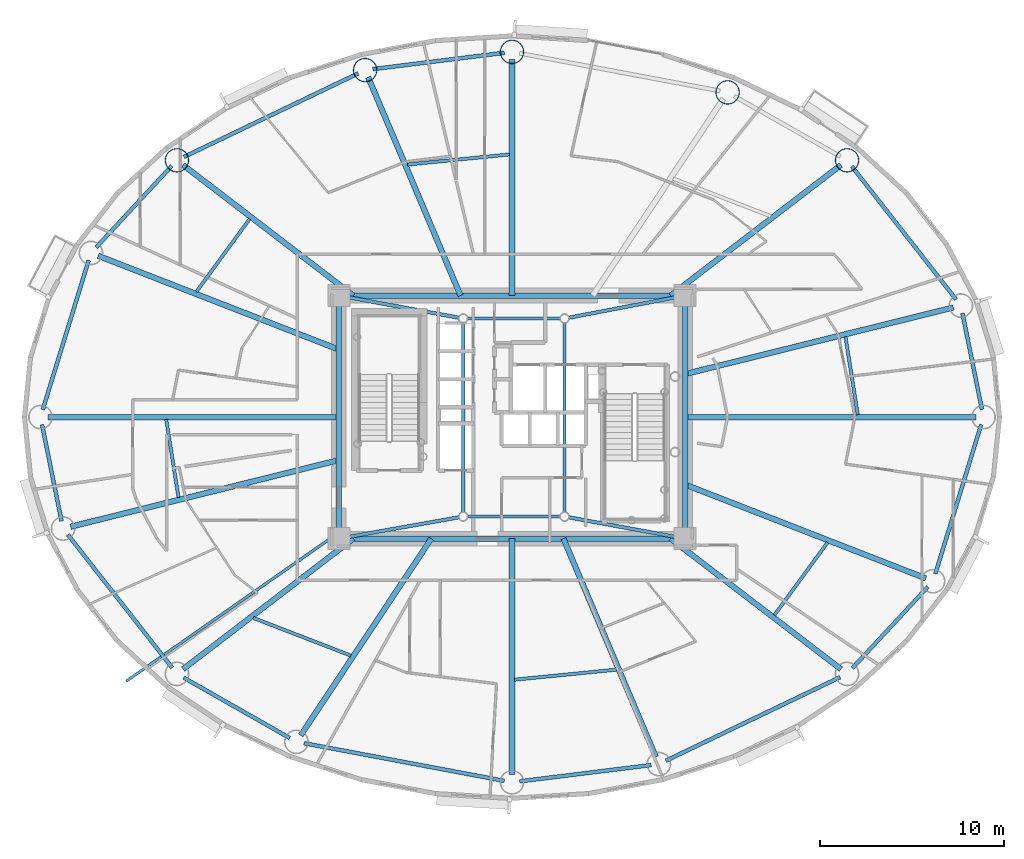
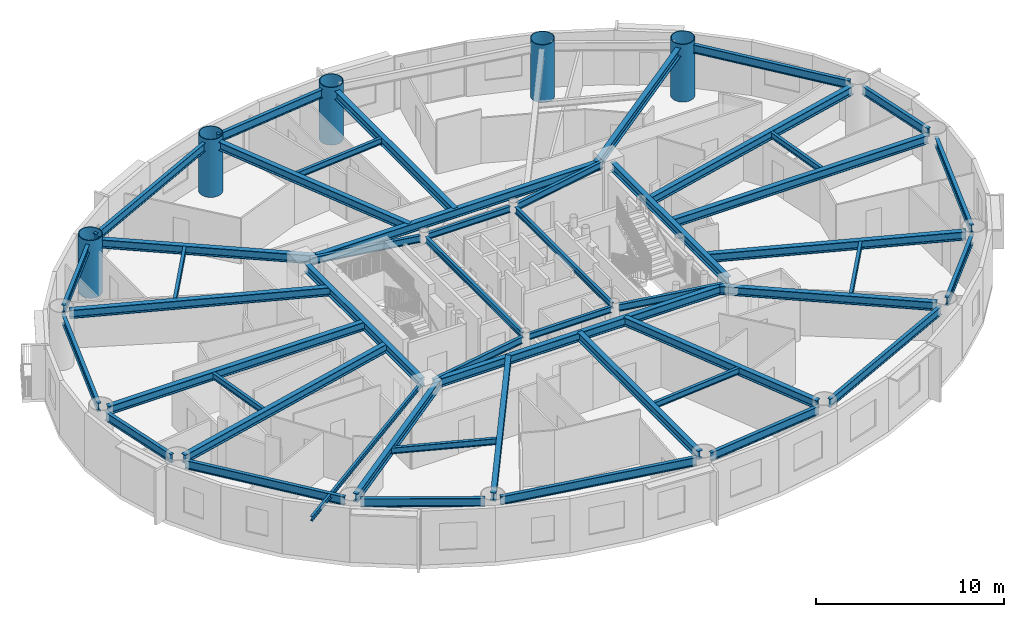
# One storey, part 3 of 20: 49 beams, 5 columns.
"""IFC4 building model written with IfcOpenShell, lengths in metres."""

import ifcopenshell
import ifcopenshell.guid

model = None  # the IFC model being written
_history = None  # IfcOwnerHistory: only IFC2X3 demands one
_inside = {}  # id of a spatial element -> (the spatial element, [elements in it])
_under = {}  # id of a project, library or spatial element -> (it, [spatial elements below it])
_declared = {}  # id of a project -> (the project, [libraries it declares])
_typed = {}  # id of a type object -> (the type object, [elements of that type])
_made_of = {}  # id of a material, layer set ... -> (it, [elements and type objects made of it])


def new_model(schema):
    """Start an empty IFC model of exactly this schema.

    Asked for "IFC4X3", IfcOpenShell would pick the latest addendum, in which some entities
    have other attributes; the version numbers below select the first issue.
    IFC2X3 requires an IfcOwnerHistory on every rooted entity: one is made here for all.
    """
    global model, _history
    if schema == "IFC4X3":
        model = ifcopenshell.file(schema_version=(4, 3, 0, 0))
    else:
        model = ifcopenshell.file(schema=schema)
    _inside.clear()
    _under.clear()
    _declared.clear()
    _typed.clear()
    _made_of.clear()
    _history = None
    if model.schema == "IFC2X3":
        org = make("IfcOrganization", Name="unknown")
        user = make(
            "IfcPersonAndOrganization",
            ThePerson=make("IfcPerson", FamilyName="unknown"),
            TheOrganization=org,
        )
        app = make(
            "IfcApplication",
            ApplicationDeveloper=org,
            Version="unknown",
            ApplicationFullName="unknown",
            ApplicationIdentifier="unknown",
        )
        _history = make(
            "IfcOwnerHistory",
            OwningUser=user,
            OwningApplication=app,
            ChangeAction="ADDED",
            CreationDate=0,
        )
    return model


def make(cls, **values):
    """One entity of the class cls with the attributes given. An attribute that is None is left unset."""
    return model.create_entity(
        cls, **{name: value for name, value in values.items() if value is not None}
    )


def rooted(cls, **values):
    """An entity with a GlobalId (a new one), such as an element, a storey or a relation."""
    return make(cls, GlobalId=ifcopenshell.guid.new(), OwnerHistory=_history, **values)


def si_unit(unit_type, name, prefix=None):
    """IfcSIUnit, for example si_unit("LENGTHUNIT", "METRE", prefix="MILLI")."""
    return make("IfcSIUnit", UnitType=unit_type, Prefix=prefix, Name=name)


def assignment(units):
    """IfcUnitAssignment: the units of a project."""
    return None if units is None else make("IfcUnitAssignment", Units=units)


def point(xyz):
    """IfcCartesianPoint."""
    return None if xyz is None else make("IfcCartesianPoint", Coordinates=xyz)


def direction(xyz):
    """IfcDirection."""
    return None if xyz is None else make("IfcDirection", DirectionRatios=xyz)


def frame(location, z_axis=None, x_axis=None):
    """IfcAxis2Placement3D, a coordinate frame: its origin and axes. An axis left out is left unset."""
    return make(
        "IfcAxis2Placement3D",
        Location=point(location),
        Axis=direction(z_axis),
        RefDirection=direction(x_axis),
    )


def frame_2d(location, x_axis=None):
    """IfcAxis2Placement2D, a coordinate frame in the plane: its origin and x axis."""
    return make(
        "IfcAxis2Placement2D", Location=point(location), RefDirection=direction(x_axis)
    )


def origin():
    """The frame at (0, 0, 0) with its axes left unset."""
    return frame((0.0, 0.0, 0.0))


def origin_2d():
    """The frame at (0, 0) in the plane with its x axis left unset."""
    return frame_2d((0.0, 0.0))


def place(relative_to, where):
    """IfcLocalPlacement: puts the frame where relative to a parent placement (None: the world)."""
    return make(
        "IfcLocalPlacement", PlacementRelTo=relative_to, RelativePlacement=where
    )


def context(
    kind, dimensions, precision=None, world=None, true_north=None, identifier=None
):
    """IfcGeometricRepresentationContext, for example the 3D "Model" context."""
    return make(
        "IfcGeometricRepresentationContext",
        ContextIdentifier=identifier,
        ContextType=kind,
        CoordinateSpaceDimension=dimensions,
        Precision=precision,
        WorldCoordinateSystem=world,
        TrueNorth=true_north,
    )


def subcontext(parent, identifier, kind, view, scale=None):
    """IfcGeometricRepresentationSubContext, for example "Body" below "Model"."""
    return make(
        "IfcGeometricRepresentationSubContext",
        ContextIdentifier=identifier,
        ContextType=kind,
        ParentContext=parent,
        TargetScale=scale,
        TargetView=view,
    )


def project(units=None, contexts=None):
    """IfcProject with its units and contexts."""
    return rooted(
        "IfcProject",
        Name="project",
        RepresentationContexts=contexts,
        UnitsInContext=assignment(units),
    )


def spatial(cls, under=None, at=None, **own):
    """A site, building, storey or space (cls), placed at a placement, below another one or the project."""
    s = rooted(cls, ObjectPlacement=at, **own)
    if under is not None:
        _under.setdefault(under.id(), (under, []))[1].append(s)
    return s


def profile(cls, at=None, kind="AREA", **sizes):
    """A parametric profile (cls). Its sizes go by their IFC names, for example OverallWidth=200.0."""
    return make(cls, ProfileType=kind, Position=at, **sizes)


def hollow_circle(**sizes):
    """IfcCircleHollowProfileDef."""
    return profile("IfcCircleHollowProfileDef", **sizes)


def i_section(**sizes):
    """IfcIShapeProfileDef."""
    return profile("IfcIShapeProfileDef", **sizes)


def extrude(swept, where, along, depth):
    """IfcExtrudedAreaSolid: the profile swept, set in the frame where, extruded along a direction by depth."""
    return make(
        "IfcExtrudedAreaSolid",
        SweptArea=swept,
        Position=where,
        ExtrudedDirection=direction(along),
        Depth=depth,
    )


def shape(context_of_items, identifier, shape_type, items):
    """IfcShapeRepresentation: the items that make up one representation, for example the "Body"."""
    return make(
        "IfcShapeRepresentation",
        ContextOfItems=context_of_items,
        RepresentationIdentifier=identifier,
        RepresentationType=shape_type,
        Items=items,
    )


def material(Name=None, Category=None):
    """IfcMaterial."""
    return make("IfcMaterial", Name=Name, Category=Category)


def material_profile(
    of_material, cross_section, Name=None, Category=None, Priority=None
):
    """IfcMaterialProfile: a cross section and its material."""
    return make(
        "IfcMaterialProfile",
        Name=Name,
        Material=of_material,
        Profile=cross_section,
        Priority=Priority,
        Category=Category,
    )


def profile_set(profiles, Name=None, composite=None):
    """IfcMaterialProfileSet."""
    return make(
        "IfcMaterialProfileSet",
        Name=Name,
        MaterialProfiles=profiles,
        CompositeProfile=composite,
    )


def made_of(thing, what):
    """Note that an element or type object is made of a material, layer set ...; save() writes the relation."""
    if what is not None:
        _made_of.setdefault(what.id(), (what, []))[1].append(thing)
    return thing


def type_object(cls, material=None, **own):
    """A type object (cls), such as IfcWallType, which elements share."""
    return made_of(rooted(cls, **own), material)


def element(
    cls,
    number,
    at=None,
    inside=None,
    cuts=None,
    type_object=None,
    material=None,
    context=None,
    identifier="Body",
    shape_type=None,
    held_by="IfcProductDefinitionShape",
    body=None,
    shapes=None,
    **own,
):
    """One element of the class cls, such as IfcWall. Its Tag is "e" and its number.

    at: its placement. inside: the storey or other place that contains it. cuts: it is an
    opening in that element (IfcRelVoidsElement). A single representation is given by context,
    identifier, shape_type and body (its items); several are given by shapes. held_by: the class
    of the entity that holds the representations. save() writes the other relations.
    """
    e = rooted(cls, Tag="e%d" % number, ObjectPlacement=at, **own)
    if body is not None:
        shapes = [shape(context, identifier, shape_type, body)]
    if shapes is not None:
        e.Representation = make(held_by, Representations=shapes)
    if inside is not None:
        _inside.setdefault(inside.id(), (inside, []))[1].append(e)
    if cuts is not None:
        rooted(
            "IfcRelVoidsElement", RelatingBuildingElement=cuts, RelatedOpeningElement=e
        )
    if type_object is not None:
        _typed.setdefault(type_object.id(), (type_object, []))[1].append(e)
    return made_of(e, material)


def aggregate(whole, parts):
    """IfcRelAggregates: a whole, such as a stair, and the parts it consists of."""
    return rooted("IfcRelAggregates", RelatingObject=whole, RelatedObjects=parts)


def save(model, path):
    """Write the relations noted so far, then the file.

    IfcRelAggregates (storeys below a building ...), IfcRelContainedInSpatialStructure (elements
    in a storey), IfcRelDefinesByType, IfcRelAssociatesMaterial and IfcRelDeclares: one each for
    every whole, place, type object, material and project.
    """
    for whole, parts in _under.values():
        aggregate(whole, parts)
    for where, things in _inside.values():
        rooted(
            "IfcRelContainedInSpatialStructure",
            RelatedElements=things,
            RelatingStructure=where,
        )
    for kind, things in _typed.values():
        rooted("IfcRelDefinesByType", RelatedObjects=things, RelatingType=kind)
    for what, things in _made_of.values():
        rooted("IfcRelAssociatesMaterial", RelatedObjects=things, RelatingMaterial=what)
    for by, libraries in _declared.values():
        rooted("IfcRelDeclares", RelatingContext=by, RelatedDefinitions=libraries)
    model.write(path)


model = new_model("IFC4")

# Units and contexts
model_context = context("Model", 3, precision=1e-05, world=origin(), true_north=direction((0.0, 1.0)))
body_context = subcontext(model_context, "Body", "Model", "MODEL_VIEW")
ifc_project = project(units=[si_unit("LENGTHUNIT", "METRE"), si_unit("AREAUNIT", "SQUARE_METRE"), si_unit("VOLUMEUNIT", "CUBIC_METRE"), si_unit("PLANEANGLEUNIT", "RADIAN"), si_unit("MASSUNIT", "GRAM", prefix="KILO")], contexts=[model_context])

# Site, building, storey
site_placement = place(None, origin())
site = spatial("IfcSite", under=ifc_project, at=site_placement, CompositionType="ELEMENT")
building_placement = place(site_placement, origin())
building = spatial("IfcBuilding", under=site, at=building_placement, Name="Linh Dai School and Residence Tower", CompositionType="ELEMENT")
storey_placement = place(building_placement, frame((0.0, 0.0, 163.64990234375)))
storey = spatial("IfcBuildingStorey", under=building, at=storey_placement, Name="L39", CompositionType="ELEMENT", Elevation=163.64990234375)

# Columns
ifc_material = material(Name="Structural Steel S355JR", Category="steel")
ifc_material_profile_1 = material_profile(ifc_material, hollow_circle(Radius=0.64990234375, WallThickness=0.0400390625, at=origin_2d()), Name="CHS 1300x40")
ifc_profile_set_1 = profile_set([ifc_material_profile_1], Name="Structural Steel S355JR")
column_type = type_object("IfcColumnType", Name="COL-MC4", PredefinedType="COLUMN", material=ifc_profile_set_1)
for number, where, z_axis, x_axis, name in (
    (1, (54.1923828125, 40.941650390625, 0.0), (0.0, 0.0, 1.0), (1.0, 0.0, 0.0), "L39 Perimeter CFT Mega-Column MC03"),
    (2, (47.70556640625, 44.630859375, 0.0), (0.0, 0.0, 1.0), (1.0, 0.0, 0.0), "L39 Perimeter CFT Mega-Column MC04"),
    (3, (36.0, 46.830078125, 0.0), (0.0, 0.0, 1.0), (1.0, 0.0, 0.0), "L39 Perimeter CFT Mega-Column MC05"),
    (4, (28.026611328125, 45.84130859375, 0.0), (0.0, 0.0, 1.0), (1.0, 0.0, 0.0), "L39 Perimeter CFT Mega-Column MC06"),
    (5, (17.8076171875, 40.941650390625, 0.0), (0.0, 0.0, 1.0), (1.0, 0.0, 0.0), "L39 Perimeter CFT Mega-Column MC07"),
):
    element("IfcColumn", number, at=place(storey_placement, frame(where, z_axis=z_axis, x_axis=x_axis)), inside=storey, type_object=column_type, Name=name, PredefinedType="COLUMN", context=body_context, shape_type="SweptSolid", body=[
        extrude(hollow_circle(Radius=0.64990234375, WallThickness=0.0400390625, at=origin_2d()), origin(), (0.0, 0.0, 1.0), 3.75),
    ])

# Beams
ifc_material_profile_2 = material_profile(ifc_material, i_section(OverallWidth=0.14990234375, OverallDepth=0.300048828125, WebThickness=0.007080078125, FlangeThickness=0.0107421875, at=origin_2d()), Name="IPE 300")
ifc_profile_set_2 = profile_set([ifc_material_profile_2], Name="Structural Steel S355JR")
beam_type_1 = type_object("IfcBeamType", Name="BM-BALC-CANT", PredefinedType="BEAM", material=ifc_profile_set_2)
beam_1_placement = place(storey_placement, frame((26.60009765625, 20.729736328125, 3.35009765625), z_axis=(-0.819647683793, -0.572867938056, 0.0), x_axis=(0.572867938056, -0.819647683793, 0.0)))
element("IfcBeam", 6, at=beam_1_placement, inside=storey, type_object=beam_type_1, Name="L40 Balcony Continuous Cantilever Beam 25", PredefinedType="BEAM", context=body_context, shape_type="SweptSolid", body=[
    extrude(i_section(OverallWidth=0.14990234375, OverallDepth=0.300048828125, WebThickness=0.007080078125, FlangeThickness=0.0107421875, at=origin_2d()), origin(), (0.0, 0.0, 1.0), 14.089599609375),
])
ifc_material_profile_3 = material_profile(ifc_material, i_section(OverallWidth=0.2099609375, OverallDepth=0.550048828125, WebThickness=0.010986328125, FlangeThickness=0.01708984375, FilletRadius=0.02392578125, at=origin_2d()), Name="IPE 550")
ifc_profile_set_3 = profile_set([ifc_material_profile_3], Name="Structural Steel S355JR")
beam_type_2 = type_object("IfcBeamType", Name="BM-RB55", PredefinedType="BEAM", material=ifc_profile_set_3)
beam_2_placement = place(storey_placement, frame((61.5166015625, 27.41162109375, 3.22509765625), z_axis=(-0.198420723955, 0.980116940117, 0.0), x_axis=(-0.980116940117, -0.198420723955, 0.0)))
element("IfcBeam", 7, at=beam_2_placement, inside=storey, type_object=beam_type_2, Name="L39 Perimeter Elliptical Ring Beam 01", PredefinedType="BEAM", context=body_context, shape_type="SweptSolid", body=[
    extrude(i_section(OverallWidth=0.2099609375, OverallDepth=0.550048828125, WebThickness=0.010986328125, FlangeThickness=0.01708984375, FilletRadius=0.02392578125, at=origin_2d()), origin(), (0.0, 0.0, 1.0), 5.33642578125),
])
beam_3_placement = place(storey_placement, frame((60.115478515625, 33.38427734375, 3.22509765625), z_axis=(-0.616852281883, 0.787078942887, 0.0), x_axis=(-0.787078942887, -0.616852281883, 0.0)))
element("IfcBeam", 8, at=beam_3_placement, inside=storey, type_object=beam_type_2, Name="L39 Perimeter Elliptical Ring Beam 02", PredefinedType="BEAM", context=body_context, shape_type="SweptSolid", body=[
    extrude(i_section(OverallWidth=0.2099609375, OverallDepth=0.550048828125, WebThickness=0.010986328125, FlangeThickness=0.01708984375, FilletRadius=0.02392578125, at=origin_2d()), origin(), (0.0, 0.0, 1.0), 9.181884765625),
])
beam_4_placement = place(storey_placement, frame((35.583251953125, 46.7783203125, 3.22509765625), z_axis=(-0.992400597975, -0.123048986741, 0.0), x_axis=(0.123048986741, -0.992400597975, 0.0)))
element("IfcBeam", 9, at=beam_4_placement, inside=storey, type_object=beam_type_2, Name="L39 Perimeter Elliptical Ring Beam 05", PredefinedType="BEAM", context=body_context, shape_type="SweptSolid", body=[
    extrude(i_section(OverallWidth=0.2099609375, OverallDepth=0.550048828125, WebThickness=0.010986328125, FlangeThickness=0.01708984375, FilletRadius=0.02392578125, at=origin_2d()), origin(), (0.0, 0.0, 1.0), 7.1943359375),
])
beam_5_placement = place(storey_placement, frame((27.64794921875, 45.659912109375, 3.22509765625), z_axis=(-0.901708141823, -0.432345263614, 0.0), x_axis=(0.432345263614, -0.901708141823, 0.0)))
element("IfcBeam", 10, at=beam_5_placement, inside=storey, type_object=beam_type_2, Name="L39 Perimeter Elliptical Ring Beam 06", PredefinedType="BEAM", context=body_context, shape_type="SweptSolid", body=[
    extrude(i_section(OverallWidth=0.2099609375, OverallDepth=0.550048828125, WebThickness=0.010986328125, FlangeThickness=0.01708984375, FilletRadius=0.02392578125, at=origin_2d()), origin(), (0.0, 0.0, 1.0), 10.4931640625),
])
beam_6_placement = place(storey_placement, frame((17.521728515625, 40.6337890625, 3.22509765625), z_axis=(-0.680378035197, -0.732861330145, 0.0), x_axis=(0.732861330145, -0.680378035197, 0.0)))
element("IfcBeam", 11, at=beam_6_placement, inside=storey, type_object=beam_type_2, Name="L39 Perimeter Elliptical Ring Beam 07", PredefinedType="BEAM", context=body_context, shape_type="SweptSolid", body=[
    extrude(i_section(OverallWidth=0.2099609375, OverallDepth=0.550048828125, WebThickness=0.010986328125, FlangeThickness=0.01708984375, FilletRadius=0.02392578125, at=origin_2d()), origin(), (0.0, 0.0, 1.0), 6.024169921875),
])
beam_7_placement = place(storey_placement, frame((13.01416015625, 35.509765625, 3.22509765625), z_axis=(-0.29363681283, -0.955917058196, 0.0), x_axis=(0.955917058196, -0.29363681283, 0.0)))
element("IfcBeam", 12, at=beam_7_placement, inside=storey, type_object=beam_type_2, Name="L39 Perimeter Elliptical Ring Beam 08", PredefinedType="BEAM", context=body_context, shape_type="SweptSolid", body=[
    extrude(i_section(OverallWidth=0.2099609375, OverallDepth=0.550048828125, WebThickness=0.010986328125, FlangeThickness=0.01708984375, FilletRadius=0.02392578125, at=origin_2d()), origin(), (0.0, 0.0, 1.0), 8.482421875),
])
beam_8_placement = place(storey_placement, frame((10.4833984375, 26.58837890625, 3.22509765625), z_axis=(0.198420723955, -0.980116940117, 0.0), x_axis=(0.980116940117, 0.198420723955, 0.0)))
element("IfcBeam", 13, at=beam_8_placement, inside=storey, type_object=beam_type_2, Name="L39 Perimeter Elliptical Ring Beam 09", PredefinedType="BEAM", context=body_context, shape_type="SweptSolid", body=[
    extrude(i_section(OverallWidth=0.2099609375, OverallDepth=0.550048828125, WebThickness=0.010986328125, FlangeThickness=0.01708984375, FilletRadius=0.02392578125, at=origin_2d()), origin(), (0.0, 0.0, 1.0), 5.33642578125),
])
beam_9_placement = place(storey_placement, frame((11.884521484375, 20.61572265625, 3.22509765625), z_axis=(0.616852281883, -0.787078942887, 0.0), x_axis=(0.787078942887, 0.616852281883, 0.0)))
element("IfcBeam", 14, at=beam_9_placement, inside=storey, type_object=beam_type_2, Name="L39 Perimeter Elliptical Ring Beam 10", PredefinedType="BEAM", context=body_context, shape_type="SweptSolid", body=[
    extrude(i_section(OverallWidth=0.2099609375, OverallDepth=0.550048828125, WebThickness=0.010986328125, FlangeThickness=0.01708984375, FilletRadius=0.02392578125, at=origin_2d()), origin(), (0.0, 0.0, 1.0), 9.181884765625),
])
beam_10_placement = place(storey_placement, frame((18.172607421875, 12.8505859375, 3.22509765625), z_axis=(0.869262164011, -0.49435138335, 0.0), x_axis=(0.49435138335, 0.869262164011, 0.0)))
element("IfcBeam", 15, at=beam_10_placement, inside=storey, type_object=beam_type_2, Name="L39 Perimeter Elliptical Ring Beam 11", PredefinedType="BEAM", context=body_context, shape_type="SweptSolid", body=[
    extrude(i_section(OverallWidth=0.2099609375, OverallDepth=0.550048828125, WebThickness=0.010986328125, FlangeThickness=0.01708984375, FilletRadius=0.02392578125, at=origin_2d()), origin(), (0.0, 0.0, 1.0), 6.62255859375),
])
beam_11_placement = place(storey_placement, frame((24.707275390625, 9.29150390625, 3.22509765625), z_axis=(0.98280721278, -0.184634727255, 0.0), x_axis=(0.184634727255, 0.98280721278, 0.0)))
element("IfcBeam", 16, at=beam_11_placement, inside=storey, type_object=beam_type_2, Name="L39 Perimeter Elliptical Ring Beam 12", PredefinedType="BEAM", context=body_context, shape_type="SweptSolid", body=[
    extrude(i_section(OverallWidth=0.2099609375, OverallDepth=0.550048828125, WebThickness=0.010986328125, FlangeThickness=0.01708984375, FilletRadius=0.02392578125, at=origin_2d()), origin(), (0.0, 0.0, 1.0), 11.0703125),
])
beam_12_placement = place(storey_placement, frame((36.416748046875, 7.2216796875, 3.22509765625), z_axis=(0.992400597975, 0.123048986741, 0.0), x_axis=(-0.123048986741, 0.992400597975, 0.0)))
element("IfcBeam", 17, at=beam_12_placement, inside=storey, type_object=beam_type_2, Name="L39 Perimeter Elliptical Ring Beam 13", PredefinedType="BEAM", context=body_context, shape_type="SweptSolid", body=[
    extrude(i_section(OverallWidth=0.2099609375, OverallDepth=0.550048828125, WebThickness=0.010986328125, FlangeThickness=0.01708984375, FilletRadius=0.02392578125, at=origin_2d()), origin(), (0.0, 0.0, 1.0), 7.1943359375),
])
beam_13_placement = place(storey_placement, frame((44.35205078125, 8.340087890625, 3.22509765625), z_axis=(0.901708141823, 0.432345263614, 0.0), x_axis=(-0.432345263614, 0.901708141823, 0.0)))
element("IfcBeam", 18, at=beam_13_placement, inside=storey, type_object=beam_type_2, Name="L39 Perimeter Elliptical Ring Beam 14", PredefinedType="BEAM", context=body_context, shape_type="SweptSolid", body=[
    extrude(i_section(OverallWidth=0.2099609375, OverallDepth=0.550048828125, WebThickness=0.010986328125, FlangeThickness=0.01708984375, FilletRadius=0.02392578125, at=origin_2d()), origin(), (0.0, 0.0, 1.0), 10.4931640625),
])
beam_14_placement = place(storey_placement, frame((54.478271484375, 13.3662109375, 3.22509765625), z_axis=(0.680378035197, 0.732861330145, 0.0), x_axis=(-0.732861330145, 0.680378035197, 0.0)))
element("IfcBeam", 19, at=beam_14_placement, inside=storey, type_object=beam_type_2, Name="L39 Perimeter Elliptical Ring Beam 15", PredefinedType="BEAM", context=body_context, shape_type="SweptSolid", body=[
    extrude(i_section(OverallWidth=0.2099609375, OverallDepth=0.550048828125, WebThickness=0.010986328125, FlangeThickness=0.01708984375, FilletRadius=0.02392578125, at=origin_2d()), origin(), (0.0, 0.0, 1.0), 6.024169921875),
])
beam_15_placement = place(storey_placement, frame((58.98583984375, 18.490234375, 3.22509765625), z_axis=(0.29363681283, 0.955917058196, 0.0), x_axis=(-0.955917058196, 0.29363681283, 0.0)))
element("IfcBeam", 20, at=beam_15_placement, inside=storey, type_object=beam_type_2, Name="L39 Perimeter Elliptical Ring Beam 16", PredefinedType="BEAM", context=body_context, shape_type="SweptSolid", body=[
    extrude(i_section(OverallWidth=0.2099609375, OverallDepth=0.550048828125, WebThickness=0.010986328125, FlangeThickness=0.01708984375, FilletRadius=0.02392578125, at=origin_2d()), origin(), (0.0, 0.0, 1.0), 8.482421875),
])
ifc_material_profile_4 = material_profile(ifc_material, i_section(OverallWidth=0.300048828125, OverallDepth=0.550048828125, WebThickness=0.014892578125, FlangeThickness=0.029052734375, FilletRadius=0.027099609375, at=origin_2d()), Name="HEB 550")
ifc_profile_set_4 = profile_set([ifc_material_profile_4], Name="Structural Steel S355JR")
beam_type_3 = type_object("IfcBeamType", Name="BM-RG55", PredefinedType="BEAM", material=ifc_profile_set_4)
beam_16_placement = place(storey_placement, frame((27.02001953125, 20.39990234375, 3.22509765625), z_axis=(1.0, 0.0, 0.0), x_axis=(0.0, 1.0, 0.0)))
element("IfcBeam", 21, at=beam_16_placement, inside=storey, type_object=beam_type_3, Name="L39 Core Perimeter Coupling Girder 1", PredefinedType="BEAM", context=body_context, shape_type="SweptSolid", body=[
    extrude(i_section(OverallWidth=0.300048828125, OverallDepth=0.550048828125, WebThickness=0.014892578125, FlangeThickness=0.029052734375, FilletRadius=0.027099609375, at=origin_2d()), origin(), (0.0, 0.0, 1.0), 17.9599609375),
])
beam_17_placement = place(storey_placement, frame((45.39990234375, 20.820068359375, 3.22509765625), z_axis=(0.0, 1.0, 0.0), x_axis=(-1.0, 0.0, 0.0)))
element("IfcBeam", 22, at=beam_17_placement, inside=storey, type_object=beam_type_3, Name="L39 Core Perimeter Coupling Girder 2", PredefinedType="BEAM", context=body_context, shape_type="SweptSolid", body=[
    extrude(i_section(OverallWidth=0.300048828125, OverallDepth=0.550048828125, WebThickness=0.014892578125, FlangeThickness=0.029052734375, FilletRadius=0.027099609375, at=origin_2d()), origin(), (0.0, 0.0, 1.0), 12.35986328125),
])
beam_18_placement = place(storey_placement, frame((44.97998046875, 33.60009765625, 3.22509765625), z_axis=(-1.0, 0.0, 0.0), x_axis=(0.0, -1.0, 0.0)))
element("IfcBeam", 23, at=beam_18_placement, inside=storey, type_object=beam_type_3, Name="L39 Core Perimeter Coupling Girder 3", PredefinedType="BEAM", context=body_context, shape_type="SweptSolid", body=[
    extrude(i_section(OverallWidth=0.300048828125, OverallDepth=0.550048828125, WebThickness=0.014892578125, FlangeThickness=0.029052734375, FilletRadius=0.027099609375, at=origin_2d()), origin(), (0.0, 0.0, 1.0), 17.9599609375),
])
beam_19_placement = place(storey_placement, frame((26.60009765625, 33.179931640625, 3.22509765625), z_axis=(0.0, -1.0, 0.0), x_axis=(1.0, 0.0, 0.0)))
element("IfcBeam", 24, at=beam_19_placement, inside=storey, type_object=beam_type_3, Name="L39 Core Perimeter Coupling Girder 4", PredefinedType="BEAM", context=body_context, shape_type="SweptSolid", body=[
    extrude(i_section(OverallWidth=0.300048828125, OverallDepth=0.550048828125, WebThickness=0.014892578125, FlangeThickness=0.029052734375, FilletRadius=0.027099609375, at=origin_2d()), origin(), (0.0, 0.0, 1.0), 12.35986328125),
])
beam_20_placement = place(storey_placement, frame((45.39990234375, 27.0, 3.22509765625), z_axis=(1.0, 0.0, 0.0), x_axis=(0.0, 1.0, 0.0)))
element("IfcBeam", 25, at=beam_20_placement, inside=storey, type_object=beam_type_3, Name="L39 Primary Radial Floor Girder 01", PredefinedType="BEAM", context=body_context, shape_type="SweptSolid", body=[
    extrude(i_section(OverallWidth=0.300048828125, OverallDepth=0.550048828125, WebThickness=0.014892578125, FlangeThickness=0.029052734375, FilletRadius=0.027099609375, at=origin_2d()), origin(), (0.0, 0.0, 1.0), 15.780029296875),
])
beam_21_placement = place(storey_placement, frame((45.39990234375, 29.33447265625, 3.22509765625), z_axis=(0.970514508209, 0.24104271272, 0.0), x_axis=(-0.24104271272, 0.970514508209, 0.0)))
element("IfcBeam", 26, at=beam_21_placement, inside=storey, type_object=beam_type_3, Name="L39 Primary Radial Floor Girder 02", PredefinedType="BEAM", context=body_context, shape_type="SweptSolid", body=[
    extrude(i_section(OverallWidth=0.300048828125, OverallDepth=0.550048828125, WebThickness=0.014892578125, FlangeThickness=0.029052734375, FilletRadius=0.027099609375, at=origin_2d()), origin(), (0.0, 0.0, 1.0), 15.009521484375),
])
beam_22_placement = place(storey_placement, frame((44.6123046875, 33.60009765625, 3.22509765625), z_axis=(0.793732831925, 0.608266546445, 0.0), x_axis=(-0.608266546445, 0.793732831925, 0.0)))
element("IfcBeam", 27, at=beam_22_placement, inside=storey, type_object=beam_type_3, Name="L39 Primary Radial Floor Girder 03", PredefinedType="BEAM", context=body_context, shape_type="SweptSolid", body=[
    extrude(i_section(OverallWidth=0.300048828125, OverallDepth=0.550048828125, WebThickness=0.014892578125, FlangeThickness=0.029052734375, FilletRadius=0.027099609375, at=origin_2d()), origin(), (0.0, 0.0, 1.0), 11.64990234375),
])
beam_23_placement = place(storey_placement, frame((36.0, 33.60009765625, 3.22509765625), z_axis=(0.0, 1.0, 0.0), x_axis=(-1.0, 0.0, 0.0)))
element("IfcBeam", 28, at=beam_23_placement, inside=storey, type_object=beam_type_3, Name="L39 Primary Radial Floor Girder 05", PredefinedType="BEAM", context=body_context, shape_type="SweptSolid", body=[
    extrude(i_section(OverallWidth=0.300048828125, OverallDepth=0.550048828125, WebThickness=0.014892578125, FlangeThickness=0.029052734375, FilletRadius=0.027099609375, at=origin_2d()), origin(), (0.0, 0.0, 1.0), 12.809814453125),
])
beam_24_placement = place(storey_placement, frame((33.20703125, 33.60009765625, 3.22509765625), z_axis=(-0.389721661447, 0.920932693849, 0.0), x_axis=(-0.920932693849, -0.389721661447, 0.0)))
element("IfcBeam", 29, at=beam_24_placement, inside=storey, type_object=beam_type_3, Name="L39 Primary Radial Floor Girder 06", PredefinedType="BEAM", context=body_context, shape_type="SweptSolid", body=[
    extrude(i_section(OverallWidth=0.300048828125, OverallDepth=0.550048828125, WebThickness=0.014892578125, FlangeThickness=0.029052734375, FilletRadius=0.027099609375, at=origin_2d()), origin(), (0.0, 0.0, 1.0), 12.872314453125),
])
beam_25_placement = place(storey_placement, frame((27.3876953125, 33.60009765625, 3.22509765625), z_axis=(-0.793732831925, 0.608266546445, 0.0), x_axis=(-0.608266546445, -0.793732831925, 0.0)))
element("IfcBeam", 30, at=beam_25_placement, inside=storey, type_object=beam_type_3, Name="L39 Primary Radial Floor Girder 07", PredefinedType="BEAM", context=body_context, shape_type="SweptSolid", body=[
    extrude(i_section(OverallWidth=0.300048828125, OverallDepth=0.550048828125, WebThickness=0.014892578125, FlangeThickness=0.029052734375, FilletRadius=0.027099609375, at=origin_2d()), origin(), (0.0, 0.0, 1.0), 11.64990234375),
])
beam_26_placement = place(storey_placement, frame((26.60009765625, 30.663818359375, 3.22509765625), z_axis=(-0.931722873254, 0.363170053081, 0.0), x_axis=(-0.363170053081, -0.931722873254, 0.0)))
element("IfcBeam", 31, at=beam_26_placement, inside=storey, type_object=beam_type_3, Name="L39 Primary Radial Floor Girder 08", PredefinedType="BEAM", context=body_context, shape_type="SweptSolid", body=[
    extrude(i_section(OverallWidth=0.300048828125, OverallDepth=0.550048828125, WebThickness=0.014892578125, FlangeThickness=0.029052734375, FilletRadius=0.027099609375, at=origin_2d()), origin(), (0.0, 0.0, 1.0), 14.029052734375),
])
beam_27_placement = place(storey_placement, frame((26.60009765625, 27.0, 3.22509765625), z_axis=(-1.0, 0.0, 0.0), x_axis=(0.0, -1.0, 0.0)))
element("IfcBeam", 32, at=beam_27_placement, inside=storey, type_object=beam_type_3, Name="L39 Primary Radial Floor Girder 09", PredefinedType="BEAM", context=body_context, shape_type="SweptSolid", body=[
    extrude(i_section(OverallWidth=0.300048828125, OverallDepth=0.550048828125, WebThickness=0.014892578125, FlangeThickness=0.029052734375, FilletRadius=0.027099609375, at=origin_2d()), origin(), (0.0, 0.0, 1.0), 15.780029296875),
])
beam_28_placement = place(storey_placement, frame((26.60009765625, 24.66552734375, 3.22509765625), z_axis=(-0.970514508209, -0.24104271272, 0.0), x_axis=(0.24104271272, -0.970514508209, 0.0)))
element("IfcBeam", 33, at=beam_28_placement, inside=storey, type_object=beam_type_3, Name="L39 Primary Radial Floor Girder 10", PredefinedType="BEAM", context=body_context, shape_type="SweptSolid", body=[
    extrude(i_section(OverallWidth=0.300048828125, OverallDepth=0.550048828125, WebThickness=0.014892578125, FlangeThickness=0.029052734375, FilletRadius=0.027099609375, at=origin_2d()), origin(), (0.0, 0.0, 1.0), 15.009521484375),
])
beam_29_placement = place(storey_placement, frame((27.3876953125, 20.39990234375, 3.22509765625), z_axis=(-0.793732831925, -0.608266546445, 0.0), x_axis=(0.608266546445, -0.793732831925, 0.0)))
element("IfcBeam", 34, at=beam_29_placement, inside=storey, type_object=beam_type_3, Name="L39 Primary Radial Floor Girder 11", PredefinedType="BEAM", context=body_context, shape_type="SweptSolid", body=[
    extrude(i_section(OverallWidth=0.300048828125, OverallDepth=0.550048828125, WebThickness=0.014892578125, FlangeThickness=0.029052734375, FilletRadius=0.027099609375, at=origin_2d()), origin(), (0.0, 0.0, 1.0), 11.64990234375),
])
beam_30_placement = place(storey_placement, frame((31.6181640625, 20.39990234375, 3.22509765625), z_axis=(-0.553117176317, -0.833103468522, 0.0), x_axis=(0.833103468522, -0.553117176317, 0.0)))
element("IfcBeam", 35, at=beam_30_placement, inside=storey, type_object=beam_type_3, Name="L39 Primary Radial Floor Girder 12", PredefinedType="BEAM", context=body_context, shape_type="SweptSolid", body=[
    extrude(i_section(OverallWidth=0.300048828125, OverallDepth=0.550048828125, WebThickness=0.014892578125, FlangeThickness=0.029052734375, FilletRadius=0.027099609375, at=origin_2d()), origin(), (0.0, 0.0, 1.0), 12.820556640625),
])
beam_31_placement = place(storey_placement, frame((36.0, 20.39990234375, 3.22509765625), z_axis=(0.0, -1.0, 0.0), x_axis=(1.0, 0.0, 0.0)))
element("IfcBeam", 36, at=beam_31_placement, inside=storey, type_object=beam_type_3, Name="L39 Primary Radial Floor Girder 13", PredefinedType="BEAM", context=body_context, shape_type="SweptSolid", body=[
    extrude(i_section(OverallWidth=0.300048828125, OverallDepth=0.550048828125, WebThickness=0.014892578125, FlangeThickness=0.029052734375, FilletRadius=0.027099609375, at=origin_2d()), origin(), (0.0, 0.0, 1.0), 12.809814453125),
])
beam_32_placement = place(storey_placement, frame((38.79296875, 20.39990234375, 3.22509765625), z_axis=(0.389721661447, -0.920932693849, 0.0), x_axis=(0.920932693849, 0.389721661447, 0.0)))
element("IfcBeam", 37, at=beam_32_placement, inside=storey, type_object=beam_type_3, Name="L39 Primary Radial Floor Girder 14", PredefinedType="BEAM", context=body_context, shape_type="SweptSolid", body=[
    extrude(i_section(OverallWidth=0.300048828125, OverallDepth=0.550048828125, WebThickness=0.014892578125, FlangeThickness=0.029052734375, FilletRadius=0.027099609375, at=origin_2d()), origin(), (0.0, 0.0, 1.0), 12.872314453125),
])
beam_33_placement = place(storey_placement, frame((44.6123046875, 20.39990234375, 3.22509765625), z_axis=(0.793732831925, -0.608266546445, 0.0), x_axis=(0.608266546445, 0.793732831925, 0.0)))
element("IfcBeam", 38, at=beam_33_placement, inside=storey, type_object=beam_type_3, Name="L39 Primary Radial Floor Girder 15", PredefinedType="BEAM", context=body_context, shape_type="SweptSolid", body=[
    extrude(i_section(OverallWidth=0.300048828125, OverallDepth=0.550048828125, WebThickness=0.014892578125, FlangeThickness=0.029052734375, FilletRadius=0.027099609375, at=origin_2d()), origin(), (0.0, 0.0, 1.0), 11.64990234375),
])
beam_34_placement = place(storey_placement, frame((45.39990234375, 23.336181640625, 3.22509765625), z_axis=(0.931722873254, -0.363170053081, 0.0), x_axis=(0.363170053081, 0.931722873254, 0.0)))
element("IfcBeam", 39, at=beam_34_placement, inside=storey, type_object=beam_type_3, Name="L39 Primary Radial Floor Girder 16", PredefinedType="BEAM", context=body_context, shape_type="SweptSolid", body=[
    extrude(i_section(OverallWidth=0.300048828125, OverallDepth=0.550048828125, WebThickness=0.014892578125, FlangeThickness=0.029052734375, FilletRadius=0.027099609375, at=origin_2d()), origin(), (0.0, 0.0, 1.0), 14.029052734375),
])
ifc_material_profile_5 = material_profile(ifc_material, i_section(OverallWidth=0.179931640625, OverallDepth=0.39990234375, WebThickness=0.008544921875, FlangeThickness=0.013427734375, FilletRadius=0.02099609375, at=origin_2d()), Name="IPE 400")
ifc_profile_set_5 = profile_set([ifc_material_profile_5], Name="Structural Steel S355JR")
beam_type_4 = type_object("IfcBeamType", Name="BM-SB40", PredefinedType="BEAM", material=ifc_profile_set_5)
beam_35_placement = place(storey_placement, frame((33.573974609375, 21.60009765625, 3.300048828125), z_axis=(1.0, 0.0, 0.0), x_axis=(0.0, 1.0, 0.0)))
element("IfcBeam", 40, at=beam_35_placement, inside=storey, type_object=beam_type_4, Name="L39 Core Mast Pier Tie Beam 1", PredefinedType="BEAM", context=body_context, shape_type="SweptSolid", body=[
    extrude(i_section(OverallWidth=0.179931640625, OverallDepth=0.39990234375, WebThickness=0.008544921875, FlangeThickness=0.013427734375, FilletRadius=0.02099609375, at=origin_2d()), origin(), (0.0, 0.0, 1.0), 5.052001953125),
])
beam_36_placement = place(storey_placement, frame((38.85009765625, 21.823974609375, 3.300048828125), z_axis=(0.0, 1.0, 0.0), x_axis=(-1.0, 0.0, 0.0)))
element("IfcBeam", 41, at=beam_36_placement, inside=storey, type_object=beam_type_4, Name="L39 Core Mast Pier Tie Beam 2", PredefinedType="BEAM", context=body_context, shape_type="SweptSolid", body=[
    extrude(i_section(OverallWidth=0.179931640625, OverallDepth=0.39990234375, WebThickness=0.008544921875, FlangeThickness=0.013427734375, FilletRadius=0.02099609375, at=origin_2d()), origin(), (0.0, 0.0, 1.0), 10.302001953125),
])
beam_37_placement = place(storey_placement, frame((38.6259765625, 32.35009765625, 3.300048828125), z_axis=(-1.0, 0.0, 0.0), x_axis=(0.0, -1.0, 0.0)))
element("IfcBeam", 42, at=beam_37_placement, inside=storey, type_object=beam_type_4, Name="L39 Core Mast Pier Tie Beam 3", PredefinedType="BEAM", context=body_context, shape_type="SweptSolid", body=[
    extrude(i_section(OverallWidth=0.179931640625, OverallDepth=0.39990234375, WebThickness=0.008544921875, FlangeThickness=0.013427734375, FilletRadius=0.02099609375, at=origin_2d()), origin(), (0.0, 0.0, 1.0), 5.052001953125),
])
beam_38_placement = place(storey_placement, frame((33.35009765625, 32.1259765625, 3.300048828125), z_axis=(0.0, -1.0, 0.0), x_axis=(1.0, 0.0, 0.0)))
element("IfcBeam", 43, at=beam_38_placement, inside=storey, type_object=beam_type_4, Name="L39 Core Mast Pier Tie Beam 4", PredefinedType="BEAM", context=body_context, shape_type="SweptSolid", body=[
    extrude(i_section(OverallWidth=0.179931640625, OverallDepth=0.39990234375, WebThickness=0.008544921875, FlangeThickness=0.013427734375, FilletRadius=0.02099609375, at=origin_2d()), origin(), (0.0, 0.0, 1.0), 10.302001953125),
])
beam_39_placement = place(storey_placement, frame((54.775634765625, 27.12841796875, 3.300048828125), z_axis=(-0.156304675371, 0.987708888518, 0.0), x_axis=(-0.987708888518, -0.156304675371, 0.0)))
element("IfcBeam", 44, at=beam_39_placement, inside=storey, type_object=beam_type_4, Name="L39 Secondary Circumferential Floor Beam 01", PredefinedType="BEAM", context=body_context, shape_type="SweptSolid", body=[
    extrude(i_section(OverallWidth=0.179931640625, OverallDepth=0.39990234375, WebThickness=0.008544921875, FlangeThickness=0.013427734375, FilletRadius=0.02099609375, at=origin_2d()), origin(), (0.0, 0.0, 1.0), 4.28759765625),
])
beam_40_placement = place(storey_placement, frame((35.87060546875, 41.260498046875, 3.300048828125), z_axis=(-0.995148179174, -0.098387506761, 0.0), x_axis=(0.098387506761, -0.995148179174, 0.0)))
element("IfcBeam", 45, at=beam_40_placement, inside=storey, type_object=beam_type_4, Name="L39 Secondary Circumferential Floor Beam 03", PredefinedType="BEAM", context=body_context, shape_type="SweptSolid", body=[
    extrude(i_section(OverallWidth=0.179931640625, OverallDepth=0.39990234375, WebThickness=0.008544921875, FlangeThickness=0.013427734375, FilletRadius=0.02099609375, at=origin_2d()), origin(), (0.0, 0.0, 1.0), 5.56591796875),
])
beam_41_placement = place(storey_placement, frame((21.75439453125, 37.75341796875, 3.300048828125), z_axis=(-0.590804505267, -0.806814747359, 0.0), x_axis=(0.806814747359, -0.590804505267, 0.0)))
element("IfcBeam", 46, at=beam_41_placement, inside=storey, type_object=beam_type_4, Name="L39 Secondary Circumferential Floor Beam 04", PredefinedType="BEAM", context=body_context, shape_type="SweptSolid", body=[
    extrude(i_section(OverallWidth=0.179931640625, OverallDepth=0.39990234375, WebThickness=0.008544921875, FlangeThickness=0.013427734375, FilletRadius=0.02099609375, at=origin_2d()), origin(), (0.0, 0.0, 1.0), 4.884765625),
])
beam_42_placement = place(storey_placement, frame((17.224365234375, 26.87158203125, 3.300048828125), z_axis=(0.156304675371, -0.987708888518, 0.0), x_axis=(0.987708888518, 0.156304675371, 0.0)))
element("IfcBeam", 47, at=beam_42_placement, inside=storey, type_object=beam_type_4, Name="L39 Secondary Circumferential Floor Beam 05", PredefinedType="BEAM", context=body_context, shape_type="SweptSolid", body=[
    extrude(i_section(OverallWidth=0.179931640625, OverallDepth=0.39990234375, WebThickness=0.008544921875, FlangeThickness=0.013427734375, FilletRadius=0.02099609375, at=origin_2d()), origin(), (0.0, 0.0, 1.0), 4.28759765625),
])
beam_43_placement = place(storey_placement, frame((21.952392578125, 16.094970703125, 3.300048828125), z_axis=(0.932814887644, -0.360355914881, 0.0), x_axis=(0.360355914881, 0.932814887644, 0.0)))
element("IfcBeam", 48, at=beam_43_placement, inside=storey, type_object=beam_type_4, Name="L39 Secondary Circumferential Floor Beam 06", PredefinedType="BEAM", context=body_context, shape_type="SweptSolid", body=[
    extrude(i_section(OverallWidth=0.179931640625, OverallDepth=0.39990234375, WebThickness=0.008544921875, FlangeThickness=0.013427734375, FilletRadius=0.02099609375, at=origin_2d()), origin(), (0.0, 0.0, 1.0), 5.67822265625),
])
beam_44_placement = place(storey_placement, frame((36.12939453125, 12.739501953125, 3.300048828125), z_axis=(0.995148179174, 0.098387506761, 0.0), x_axis=(-0.098387506761, 0.995148179174, 0.0)))
element("IfcBeam", 49, at=beam_44_placement, inside=storey, type_object=beam_type_4, Name="L39 Secondary Circumferential Floor Beam 07", PredefinedType="BEAM", context=body_context, shape_type="SweptSolid", body=[
    extrude(i_section(OverallWidth=0.179931640625, OverallDepth=0.39990234375, WebThickness=0.008544921875, FlangeThickness=0.013427734375, FilletRadius=0.02099609375, at=origin_2d()), origin(), (0.0, 0.0, 1.0), 5.56591796875),
])
beam_45_placement = place(storey_placement, frame((50.24560546875, 16.24658203125, 3.300048828125), z_axis=(0.590804505267, 0.806814747359, 0.0), x_axis=(-0.806814747359, 0.590804505267, 0.0)))
element("IfcBeam", 50, at=beam_45_placement, inside=storey, type_object=beam_type_4, Name="L39 Secondary Circumferential Floor Beam 08", PredefinedType="BEAM", context=body_context, shape_type="SweptSolid", body=[
    extrude(i_section(OverallWidth=0.179931640625, OverallDepth=0.39990234375, WebThickness=0.008544921875, FlangeThickness=0.013427734375, FilletRadius=0.02099609375, at=origin_2d()), origin(), (0.0, 0.0, 1.0), 4.884765625),
])
ifc_material_profile_6 = material_profile(ifc_material, i_section(OverallWidth=0.18994140625, OverallDepth=0.449951171875, WebThickness=0.009521484375, FlangeThickness=0.0146484375, FilletRadius=0.02099609375, at=origin_2d()), Name="IPE 450")
ifc_profile_set_6 = profile_set([ifc_material_profile_6], Name="Structural Steel S355JR")
beam_type_5 = type_object("IfcBeamType", Name="BM-SB45", PredefinedType="BEAM", material=ifc_profile_set_6)
beam_46_placement = place(storey_placement, frame((27.013427734375, 20.4736328125, 3.275146484375), z_axis=(0.984565969371, 0.175013862185, 0.0), x_axis=(-0.175013862185, 0.984565969371, 0.0)))
element("IfcBeam", 51, at=beam_46_placement, inside=storey, type_object=beam_type_5, Name="L39 Core Corner-to-Mast Pier Beam 1", PredefinedType="BEAM", context=body_context, shape_type="SweptSolid", body=[
    extrude(i_section(OverallWidth=0.18994140625, OverallDepth=0.449951171875, WebThickness=0.009521484375, FlangeThickness=0.0146484375, FilletRadius=0.02099609375, at=origin_2d()), origin(), (0.0, 0.0, 1.0), 6.2119140625),
])
beam_47_placement = place(storey_placement, frame((44.98681640625, 20.4755859375, 3.275146484375), z_axis=(-0.983627428732, 0.180213987933, 0.0), x_axis=(-0.180213987933, -0.983627428732, 0.0)))
element("IfcBeam", 52, at=beam_47_placement, inside=storey, type_object=beam_type_5, Name="L39 Core Corner-to-Mast Pier Beam 2", PredefinedType="BEAM", context=body_context, shape_type="SweptSolid", body=[
    extrude(i_section(OverallWidth=0.18994140625, OverallDepth=0.449951171875, WebThickness=0.009521484375, FlangeThickness=0.0146484375, FilletRadius=0.02099609375, at=origin_2d()), origin(), (0.0, 0.0, 1.0), 6.014892578125),
])
beam_48_placement = place(storey_placement, frame((44.987548828125, 33.521240234375, 3.275146484375), z_axis=(-0.982277147686, -0.187434268836, 0.0), x_axis=(0.187434268836, -0.982277147686, 0.0)))
element("IfcBeam", 53, at=beam_48_placement, inside=storey, type_object=beam_type_5, Name="L39 Core Corner-to-Mast Pier Beam 3", PredefinedType="BEAM", context=body_context, shape_type="SweptSolid", body=[
    extrude(i_section(OverallWidth=0.18994140625, OverallDepth=0.449951171875, WebThickness=0.009521484375, FlangeThickness=0.0146484375, FilletRadius=0.02099609375, at=origin_2d()), origin(), (0.0, 0.0, 1.0), 6.024169921875),
])
beam_49_placement = place(storey_placement, frame((27.012939453125, 33.5234375, 3.275146484375), z_axis=(0.983286429055, -0.182065368579, 0.0), x_axis=(0.182065368579, 0.983286429055, 0.0)))
element("IfcBeam", 54, at=beam_49_placement, inside=storey, type_object=beam_type_5, Name="L39 Core Corner-to-Mast Pier Beam 4", PredefinedType="BEAM", context=body_context, shape_type="SweptSolid", body=[
    extrude(i_section(OverallWidth=0.18994140625, OverallDepth=0.449951171875, WebThickness=0.009521484375, FlangeThickness=0.0146484375, FilletRadius=0.02099609375, at=origin_2d()), origin(), (0.0, 0.0, 1.0), 6.220703125),
])

save(model, "model.ifc")
